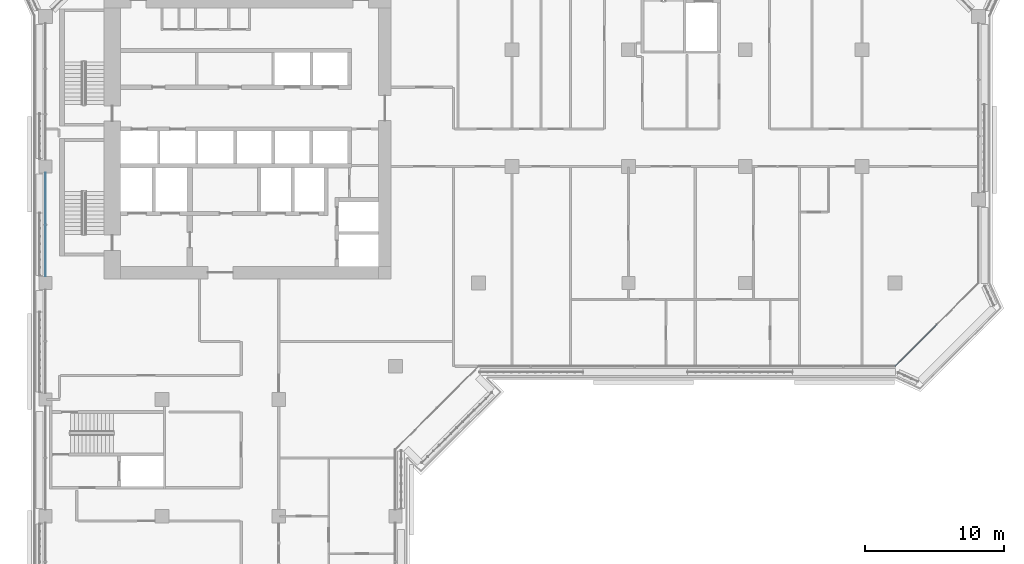
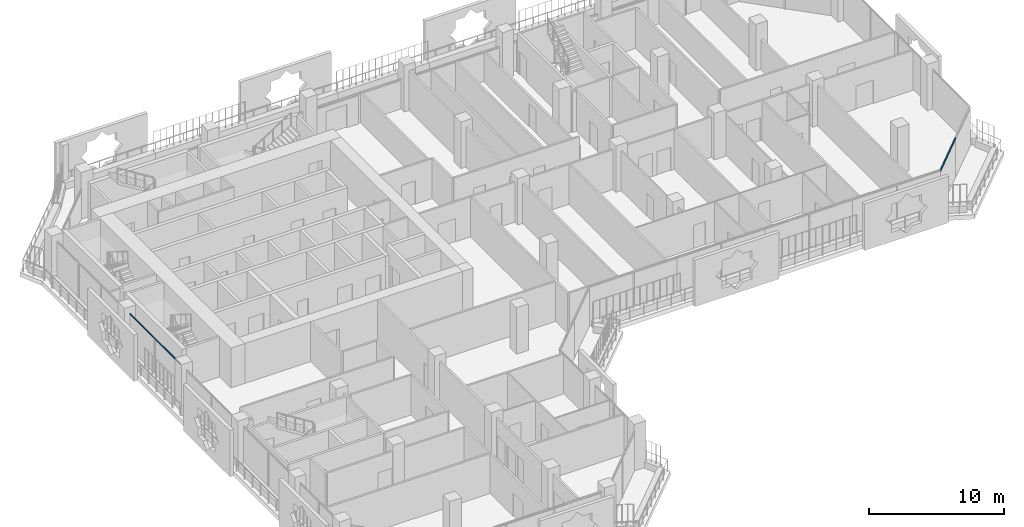
# One storey, part 4 of 22: 2 members, 2 elements without a shape of their own.
"""IFC4 building model written with IfcOpenShell, lengths in metres."""

import ifcopenshell
import ifcopenshell.guid

model = None  # the IFC model being written
_history = None  # IfcOwnerHistory: only IFC2X3 demands one
_inside = {}  # id of a spatial element -> (the spatial element, [elements in it])
_under = {}  # id of a project, library or spatial element -> (it, [spatial elements below it])
_declared = {}  # id of a project -> (the project, [libraries it declares])
_typed = {}  # id of a type object -> (the type object, [elements of that type])
_made_of = {}  # id of a material, layer set ... -> (it, [elements and type objects made of it])


def new_model(schema):
    """Start an empty IFC model of exactly this schema.

    Asked for "IFC4X3", IfcOpenShell would pick the latest addendum, in which some entities
    have other attributes; the version numbers below select the first issue.
    IFC2X3 requires an IfcOwnerHistory on every rooted entity: one is made here for all.
    """
    global model, _history
    if schema == "IFC4X3":
        model = ifcopenshell.file(schema_version=(4, 3, 0, 0))
    else:
        model = ifcopenshell.file(schema=schema)
    _inside.clear()
    _under.clear()
    _declared.clear()
    _typed.clear()
    _made_of.clear()
    _history = None
    if model.schema == "IFC2X3":
        org = make("IfcOrganization", Name="unknown")
        user = make(
            "IfcPersonAndOrganization",
            ThePerson=make("IfcPerson", FamilyName="unknown"),
            TheOrganization=org,
        )
        app = make(
            "IfcApplication",
            ApplicationDeveloper=org,
            Version="unknown",
            ApplicationFullName="unknown",
            ApplicationIdentifier="unknown",
        )
        _history = make(
            "IfcOwnerHistory",
            OwningUser=user,
            OwningApplication=app,
            ChangeAction="ADDED",
            CreationDate=0,
        )
    return model


def make(cls, **values):
    """One entity of the class cls with the attributes given. An attribute that is None is left unset."""
    return model.create_entity(
        cls, **{name: value for name, value in values.items() if value is not None}
    )


def rooted(cls, **values):
    """An entity with a GlobalId (a new one), such as an element, a storey or a relation."""
    return make(cls, GlobalId=ifcopenshell.guid.new(), OwnerHistory=_history, **values)


def si_unit(unit_type, name, prefix=None):
    """IfcSIUnit, for example si_unit("LENGTHUNIT", "METRE", prefix="MILLI")."""
    return make("IfcSIUnit", UnitType=unit_type, Prefix=prefix, Name=name)


def assignment(units):
    """IfcUnitAssignment: the units of a project."""
    return None if units is None else make("IfcUnitAssignment", Units=units)


def point(xyz):
    """IfcCartesianPoint."""
    return None if xyz is None else make("IfcCartesianPoint", Coordinates=xyz)


def direction(xyz):
    """IfcDirection."""
    return None if xyz is None else make("IfcDirection", DirectionRatios=xyz)


def frame(location, z_axis=None, x_axis=None):
    """IfcAxis2Placement3D, a coordinate frame: its origin and axes. An axis left out is left unset."""
    return make(
        "IfcAxis2Placement3D",
        Location=point(location),
        Axis=direction(z_axis),
        RefDirection=direction(x_axis),
    )


def frame_2d(location, x_axis=None):
    """IfcAxis2Placement2D, a coordinate frame in the plane: its origin and x axis."""
    return make(
        "IfcAxis2Placement2D", Location=point(location), RefDirection=direction(x_axis)
    )


def origin():
    """The frame at (0, 0, 0) with its axes left unset."""
    return frame((0.0, 0.0, 0.0))


def origin_2d():
    """The frame at (0, 0) in the plane with its x axis left unset."""
    return frame_2d((0.0, 0.0))


def place(relative_to, where):
    """IfcLocalPlacement: puts the frame where relative to a parent placement (None: the world)."""
    return make(
        "IfcLocalPlacement", PlacementRelTo=relative_to, RelativePlacement=where
    )


def context(
    kind, dimensions, precision=None, world=None, true_north=None, identifier=None
):
    """IfcGeometricRepresentationContext, for example the 3D "Model" context."""
    return make(
        "IfcGeometricRepresentationContext",
        ContextIdentifier=identifier,
        ContextType=kind,
        CoordinateSpaceDimension=dimensions,
        Precision=precision,
        WorldCoordinateSystem=world,
        TrueNorth=true_north,
    )


def subcontext(parent, identifier, kind, view, scale=None):
    """IfcGeometricRepresentationSubContext, for example "Body" below "Model"."""
    return make(
        "IfcGeometricRepresentationSubContext",
        ContextIdentifier=identifier,
        ContextType=kind,
        ParentContext=parent,
        TargetScale=scale,
        TargetView=view,
    )


def project(units=None, contexts=None):
    """IfcProject with its units and contexts."""
    return rooted(
        "IfcProject",
        Name="project",
        RepresentationContexts=contexts,
        UnitsInContext=assignment(units),
    )


def spatial(cls, under=None, at=None, **own):
    """A site, building, storey or space (cls), placed at a placement, below another one or the project."""
    s = rooted(cls, ObjectPlacement=at, **own)
    if under is not None:
        _under.setdefault(under.id(), (under, []))[1].append(s)
    return s


def profile(cls, at=None, kind="AREA", **sizes):
    """A parametric profile (cls). Its sizes go by their IFC names, for example OverallWidth=200.0."""
    return make(cls, ProfileType=kind, Position=at, **sizes)


def rectangle(**sizes):
    """IfcRectangleProfileDef."""
    return profile("IfcRectangleProfileDef", **sizes)


def extrude(swept, where, along, depth):
    """IfcExtrudedAreaSolid: the profile swept, set in the frame where, extruded along a direction by depth."""
    return make(
        "IfcExtrudedAreaSolid",
        SweptArea=swept,
        Position=where,
        ExtrudedDirection=direction(along),
        Depth=depth,
    )


def shape(context_of_items, identifier, shape_type, items):
    """IfcShapeRepresentation: the items that make up one representation, for example the "Body"."""
    return make(
        "IfcShapeRepresentation",
        ContextOfItems=context_of_items,
        RepresentationIdentifier=identifier,
        RepresentationType=shape_type,
        Items=items,
    )


def material(Name=None, Category=None):
    """IfcMaterial."""
    return make("IfcMaterial", Name=Name, Category=Category)


def layer(
    of_material, thickness, ventilated=None, Name=None, Category=None, Priority=None
):
    """IfcMaterialLayer: one layer of a wall or slab, of a material (None: an air gap)."""
    return make(
        "IfcMaterialLayer",
        Material=of_material,
        LayerThickness=thickness,
        IsVentilated=ventilated,
        Name=Name,
        Category=Category,
        Priority=Priority,
    )


def layer_set(layers, Name=None):
    """IfcMaterialLayerSet."""
    return make("IfcMaterialLayerSet", MaterialLayers=layers, LayerSetName=Name)


def material_profile(
    of_material, cross_section, Name=None, Category=None, Priority=None
):
    """IfcMaterialProfile: a cross section and its material."""
    return make(
        "IfcMaterialProfile",
        Name=Name,
        Material=of_material,
        Profile=cross_section,
        Priority=Priority,
        Category=Category,
    )


def profile_set(profiles, Name=None, composite=None):
    """IfcMaterialProfileSet."""
    return make(
        "IfcMaterialProfileSet",
        Name=Name,
        MaterialProfiles=profiles,
        CompositeProfile=composite,
    )


def made_of(thing, what):
    """Note that an element or type object is made of a material, layer set ...; save() writes the relation."""
    if what is not None:
        _made_of.setdefault(what.id(), (what, []))[1].append(thing)
    return thing


def type_object(cls, material=None, **own):
    """A type object (cls), such as IfcWallType, which elements share."""
    return made_of(rooted(cls, **own), material)


def element(
    cls,
    number,
    at=None,
    inside=None,
    cuts=None,
    type_object=None,
    material=None,
    context=None,
    identifier="Body",
    shape_type=None,
    held_by="IfcProductDefinitionShape",
    body=None,
    shapes=None,
    **own,
):
    """One element of the class cls, such as IfcWall. Its Tag is "e" and its number.

    at: its placement. inside: the storey or other place that contains it. cuts: it is an
    opening in that element (IfcRelVoidsElement). A single representation is given by context,
    identifier, shape_type and body (its items); several are given by shapes. held_by: the class
    of the entity that holds the representations. save() writes the other relations.
    """
    e = rooted(cls, Tag="e%d" % number, ObjectPlacement=at, **own)
    if body is not None:
        shapes = [shape(context, identifier, shape_type, body)]
    if shapes is not None:
        e.Representation = make(held_by, Representations=shapes)
    if inside is not None:
        _inside.setdefault(inside.id(), (inside, []))[1].append(e)
    if cuts is not None:
        rooted(
            "IfcRelVoidsElement", RelatingBuildingElement=cuts, RelatedOpeningElement=e
        )
    if type_object is not None:
        _typed.setdefault(type_object.id(), (type_object, []))[1].append(e)
    return made_of(e, material)


def aggregate(whole, parts):
    """IfcRelAggregates: a whole, such as a stair, and the parts it consists of."""
    return rooted("IfcRelAggregates", RelatingObject=whole, RelatedObjects=parts)


def save(model, path):
    """Write the relations noted so far, then the file.

    IfcRelAggregates (storeys below a building ...), IfcRelContainedInSpatialStructure (elements
    in a storey), IfcRelDefinesByType, IfcRelAssociatesMaterial and IfcRelDeclares: one each for
    every whole, place, type object, material and project.
    """
    for whole, parts in _under.values():
        aggregate(whole, parts)
    for where, things in _inside.values():
        rooted(
            "IfcRelContainedInSpatialStructure",
            RelatedElements=things,
            RelatingStructure=where,
        )
    for kind, things in _typed.values():
        rooted("IfcRelDefinesByType", RelatedObjects=things, RelatingType=kind)
    for what, things in _made_of.values():
        rooted("IfcRelAssociatesMaterial", RelatedObjects=things, RelatingMaterial=what)
    for by, libraries in _declared.values():
        rooted("IfcRelDeclares", RelatingContext=by, RelatedDefinitions=libraries)
    model.write(path)


model = new_model("IFC4")

# Units and contexts
model_context = context("Model", 3, precision=1e-05, world=origin(), true_north=direction((0.0, 1.0)))
body_context = subcontext(model_context, "Body", "Model", "MODEL_VIEW")
ifc_project = project(units=[si_unit("LENGTHUNIT", "METRE"), si_unit("AREAUNIT", "SQUARE_METRE"), si_unit("VOLUMEUNIT", "CUBIC_METRE"), si_unit("PLANEANGLEUNIT", "RADIAN"), si_unit("MASSUNIT", "GRAM", prefix="KILO")], contexts=[model_context])

# Site, building, storey
site_placement = place(None, origin())
site = spatial("IfcSite", under=ifc_project, at=site_placement, CompositionType="ELEMENT")
building_placement = place(site_placement, origin())
building = spatial("IfcBuilding", under=site, at=building_placement, Name="Kawkab Arch Medical Tower", CompositionType="ELEMENT")
storey_placement = place(building_placement, frame((0.0, 0.0, 183.60009765625)))
storey = spatial("IfcBuildingStorey", under=building, at=storey_placement, Name="L42", CompositionType="ELEMENT", Elevation=183.60009765625)

# Curtain wall, member
ifc_material_1 = material(Name="Bronze anodised aluminium curtain wall frame", Category="aluminium")
ifc_layer_1 = layer(ifc_material_1, 0.159912109375)
ifc_layer_set_1 = layer_set([ifc_layer_1], Name="Bronze anodised aluminium curtain wall frame")
curtain_wall_type_1 = type_object("IfcCurtainWallType", Name="CW1 ward curtain wall", PredefinedType="NOTDEFINED", material=ifc_layer_set_1)
placement = place(storey_placement, origin())
curtain_wall_1 = element("IfcCurtainWall", 1, at=placement, inside=storey, type_object=curtain_wall_type_1, Name="CW1 Ward curtain wall R01", PredefinedType="NOTDEFINED")
ifc_material_2 = material(Name="Bronze anodised aluminium curtain wall frame", Category="aluminium")
ifc_material_profile_1 = material_profile(ifc_material_2, rectangle(XDim=0.06005859375, YDim=0.1201171875, at=origin_2d()), Name="AL 60x120")
ifc_profile_set_1 = profile_set([ifc_material_profile_1], Name="Bronze anodised aluminium curtain wall frame")
member_type_1 = type_object("IfcMemberType", Name="CW1 transom 120 x 60", PredefinedType="USERDEFINED", material=ifc_profile_set_1)
member_1_placement = place(storey_placement, frame((0.0, -17.27490234375, 3.539794921875), z_axis=(0.0, -1.0, 0.0), x_axis=(1.0, 0.0, 0.0)))
member_1 = element("IfcMember", 2, at=member_1_placement, type_object=member_type_1, Name="CW1 transom 2", ObjectType="TRANSOM", PredefinedType="USERDEFINED", context=body_context, shape_type="SweptSolid", body=[
    extrude(rectangle(XDim=0.06005859375, YDim=0.1201171875, at=origin_2d()), origin(), (0.0, 0.0, 1.0), 7.4501953125),
])
aggregate(curtain_wall_1, [member_1])

ifc_material_3 = material(Name="Bronze anodised aluminium curtain wall frame", Category="aluminium")
ifc_layer_2 = layer(ifc_material_3, 0.159912109375)
ifc_layer_set_2 = layer_set([ifc_layer_2], Name="Bronze anodised aluminium curtain wall frame")
curtain_wall_type_2 = type_object("IfcCurtainWallType", Name="CW2 chamfer curtain wall", PredefinedType="NOTDEFINED", material=ifc_layer_set_2)
curtain_wall_2 = element("IfcCurtainWall", 3, at=placement, inside=storey, type_object=curtain_wall_type_2, Name="CW2 Chamfer curtain wall R08", PredefinedType="NOTDEFINED")
ifc_material_4 = material(Name="Bronze anodised aluminium curtain wall frame", Category="aluminium")
ifc_material_profile_2 = material_profile(ifc_material_4, rectangle(XDim=0.06005859375, YDim=0.139892578125, at=origin_2d()), Name="AL 60x140")
ifc_profile_set_2 = profile_set([ifc_material_profile_2], Name="Bronze anodised aluminium curtain wall frame")
member_type_2 = type_object("IfcMemberType", Name="CW2 transom 140 x 60", PredefinedType="USERDEFINED", material=ifc_profile_set_2)
member_2_placement = place(storey_placement, frame((61.199951171875, -31.199951171875, 3.52978515625), z_axis=(0.707106781187, 0.707106781187, 0.0), x_axis=(-0.707106781187, 0.707106781187, 0.0)))
member_2 = element("IfcMember", 4, at=member_2_placement, type_object=member_type_2, Name="CW2 transom 1", ObjectType="TRANSOM", PredefinedType="USERDEFINED", context=body_context, shape_type="SweptSolid", body=[
    extrude(rectangle(XDim=0.06005859375, YDim=0.139892578125, at=origin_2d()), origin(), (0.0, 0.0, 1.0), 4.24267578125),
])
aggregate(curtain_wall_2, [member_2])

save(model, "model.ifc")
